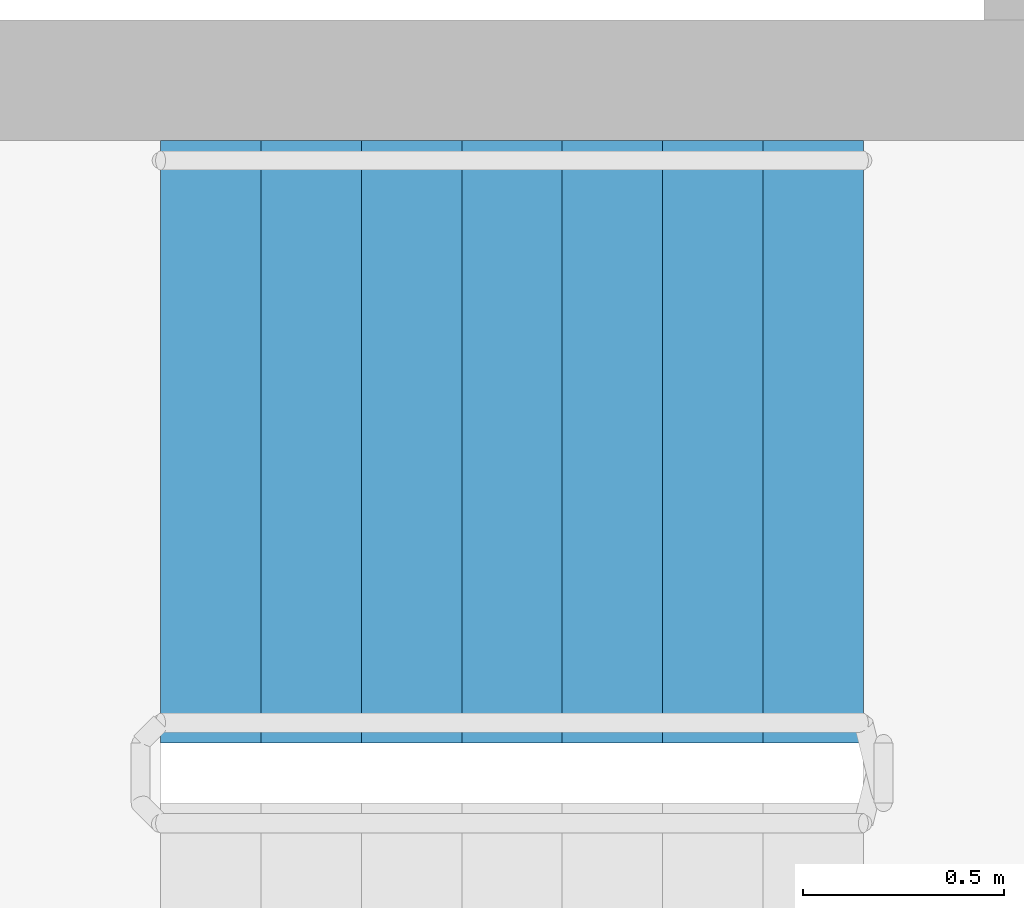
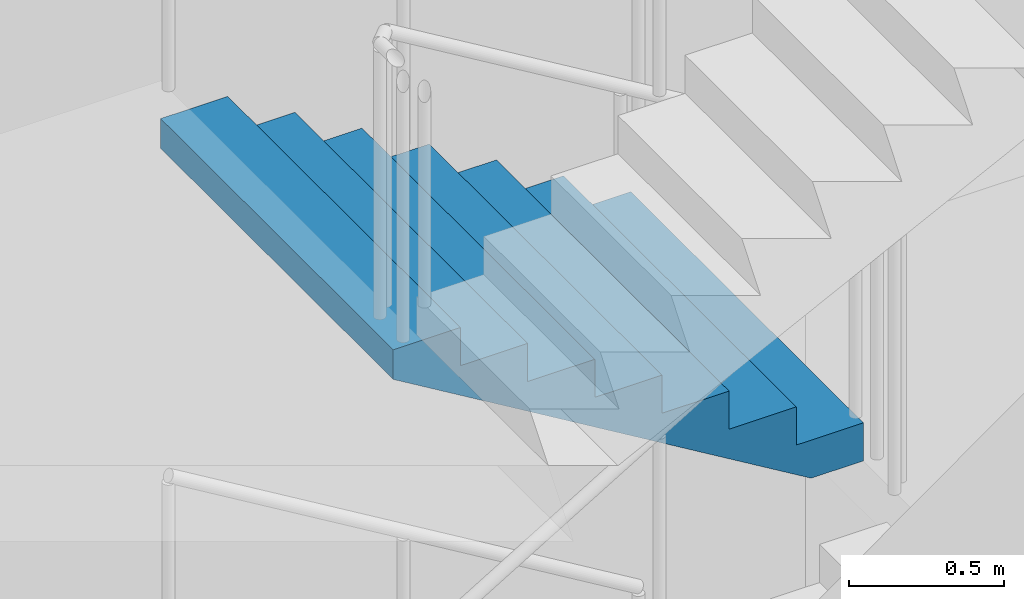
# One storey, part 11 of 12: 1 stair flight, 1 element without a shape of its own.
"""IFC4 building model written with IfcOpenShell, lengths in metres."""

from ifc_helpers import new_model, si_unit, direction, frame, origin, place, context, subcontext, project, spatial, polyline, outline, extrude, material, type_object, element, aggregate, save


model = new_model("IFC4")

# Units and contexts
model_context = context("Model", 3, precision=1e-05, world=origin(), true_north=direction((0.0, 1.0)))
body_context = subcontext(model_context, "Body", "Model", "MODEL_VIEW")
ifc_project = project(units=[si_unit("LENGTHUNIT", "METRE"), si_unit("AREAUNIT", "SQUARE_METRE"), si_unit("VOLUMEUNIT", "CUBIC_METRE"), si_unit("PLANEANGLEUNIT", "RADIAN"), si_unit("MASSUNIT", "GRAM", prefix="KILO")], contexts=[model_context])

# Site, building, storey
site_placement = place(None, origin())
site = spatial("IfcSite", under=ifc_project, at=site_placement, CompositionType="ELEMENT")
building_placement = place(site_placement, origin())
building = spatial("IfcBuilding", under=site, at=building_placement, Name="Tracery Tower", CompositionType="ELEMENT")
storey_placement = place(building_placement, frame((0.0, 0.0, 13.800048828125)))
storey = spatial("IfcBuildingStorey", under=building, at=storey_placement, Name="L02", CompositionType="ELEMENT", Elevation=13.800048828125)

# Stair, stair flight
ifc_material_1 = material(Name="Concrete C32/40", Category="concrete")
stair_type = type_object("IfcStairType", Name="Core stair 32 risers", PredefinedType="HALF_TURN_STAIR", material=ifc_material_1)
stair_placement = place(storey_placement, origin())
stair = element("IfcStair", 1, at=stair_placement, inside=storey, type_object=stair_type, Name="L02 stair ST3", PredefinedType="HALF_TURN_STAIR")
ifc_material_2 = material(Name="Concrete C32/40", Category="concrete")
stair_flight_type = type_object("IfcStairFlightType", Name="Core stair flight 8 risers", PredefinedType="STRAIGHT", material=ifc_material_2)
stair_flight_placement = place(storey_placement, frame((-4.800048828125, 5.64990234375, 2.39990234375), z_axis=(0.0, 0.0, 1.0), x_axis=(-1.0, 0.0, 0.0)))
stair_flight = element("IfcStairFlight", 2, at=stair_flight_placement, type_object=stair_flight_type, Name="ST3 flight 3", NumberOfRisers=8, NumberOfTreads=7, PredefinedType="STRAIGHT", RiserHeight=0.15, TreadLength=0.25, context=body_context, shape_type="SweptSolid", body=[
    extrude(outline(polyline([(0.0, 0.0), (0.0, 0.00244140625), (0.0, 0.0048828125), (0.0, 0.00732421875), (0.0, 0.009765625), (0.0, 0.01220703125), (0.0, 0.0146484375), (0.0, 0.017333984375), (0.0, 0.019775390625), (0.0, 0.022216796875), (0.0, 0.024658203125), (0.0, 0.027099609375), (0.0, 0.029541015625), (0.0, 0.031982421875), (0.0, 0.034423828125), (0.0, 0.036865234375), (0.0, 0.039306640625), (0.0, 0.041748046875), (0.0, 0.044189453125), (0.0, 0.046630859375), (0.0, 0.049072265625), (0.0, 0.0517578125), (0.0, 0.05419921875), (0.0, 0.056640625), (0.0, 0.05908203125), (0.0, 0.0615234375), (0.0, 0.06396484375), (0.0, 0.06640625), (0.0, 0.06884765625), (0.0, 0.0712890625), (0.0, 0.07373046875), (0.0, 0.076171875), (0.0, 0.07861328125), (0.0, 0.0810546875), (0.0, 0.08349609375), (0.0, 0.086181640625), (0.0, 0.088623046875), (0.0, 0.091064453125), (0.0, 0.093505859375), (0.0, 0.095947265625), (0.0, 0.098388671875), (0.0, 0.100830078125), (0.0, 0.103271484375), (0.0, 0.105712890625), (0.0, 0.108154296875), (0.0, 0.110595703125), (0.0, 0.113037109375), (0.0, 0.115478515625), (0.0, 0.117919921875), (0.0, 0.12060546875), (0.0, 0.123046875), (0.0, 0.12548828125), (0.0, 0.1279296875), (0.0, 0.13037109375), (0.0, 0.1328125), (0.0, 0.13525390625), (0.0, 0.1376953125), (0.0, 0.14013671875), (0.0, 0.142578125), (0.0, 0.14501953125), (0.0, 0.1474609375), (0.0, 0.14990234375), (0.25, 0.14990234375), (0.25, 0.300048828125), (0.5, 0.300048828125), (0.5, 0.449951171875), (0.75, 0.449951171875), (0.75, 0.60009765625), (1.0, 0.60009765625), (1.0, 0.75), (1.25, 0.75), (1.25, 0.89990234375), (1.5, 0.89990234375), (1.5, 1.050048828125), (1.75, 1.050048828125), (1.75, 1.048095703125), (1.75, 1.046142578125), (1.75, 1.044189453125), (1.75, 1.042236328125), (1.75, 1.04052734375), (1.75, 1.03857421875), (1.75, 1.03662109375), (1.75, 1.03466796875), (1.75, 1.03271484375), (1.75, 1.03076171875), (1.75, 1.029052734375), (1.75, 1.027099609375), (1.75, 1.025146484375), (1.75, 1.023193359375), (1.75, 1.021240234375), (1.75, 1.019287109375), (1.75, 1.017578125), (1.75, 1.015625), (1.75, 1.013671875), (1.75, 1.01171875), (1.75, 1.009765625), (1.75, 1.0078125), (1.75, 1.006103515625), (1.75, 1.004150390625), (1.75, 1.002197265625), (1.75, 1.000244140625), (1.75, 0.998291015625), (1.75, 0.996337890625), (1.75, 0.994384765625), (1.75, 0.99267578125), (1.75, 0.99072265625), (1.75, 0.98876953125), (1.75, 0.98681640625), (1.75, 0.98486328125), (1.75, 0.98291015625), (1.75, 0.981201171875), (1.75, 0.979248046875), (1.75, 0.977294921875), (1.75, 0.975341796875), (1.75, 0.973388671875), (1.75, 0.971435546875), (1.75, 0.9697265625), (1.75, 0.9677734375), (1.75, 0.9658203125), (1.75, 0.9638671875), (1.75, 0.9619140625), (1.75, 0.9599609375), (1.75, 0.958251953125), (1.75, 0.956298828125), (1.75, 0.954345703125), (1.75, 0.952392578125), (1.75, 0.950439453125), (1.75, 0.948486328125), (1.75, 0.94677734375), (1.75, 0.94482421875), (1.75, 0.94287109375), (1.75, 0.94091796875), (1.75, 0.93896484375), (1.75, 0.93701171875), (1.75, 0.935302734375), (1.75, 0.933349609375), (0.194580078125, 0.0), (0.0, 0.0)])), frame((0.0, 0.75, 0.0), z_axis=(0.0, -1.0, 0.0), x_axis=(1.0, 0.0, 0.0)), (0.0, 0.0, 1.0), 1.5),
])
aggregate(stair, [stair_flight])

save(model, "model.ifc")
